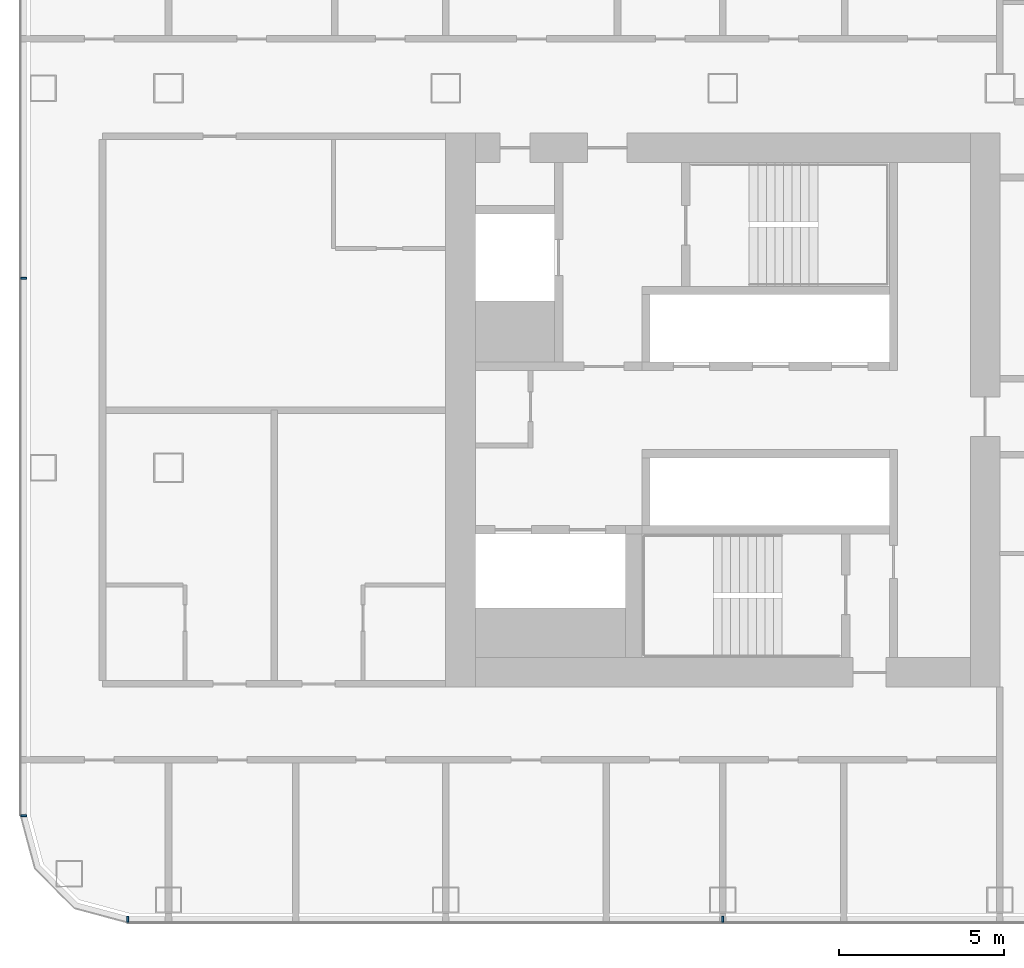
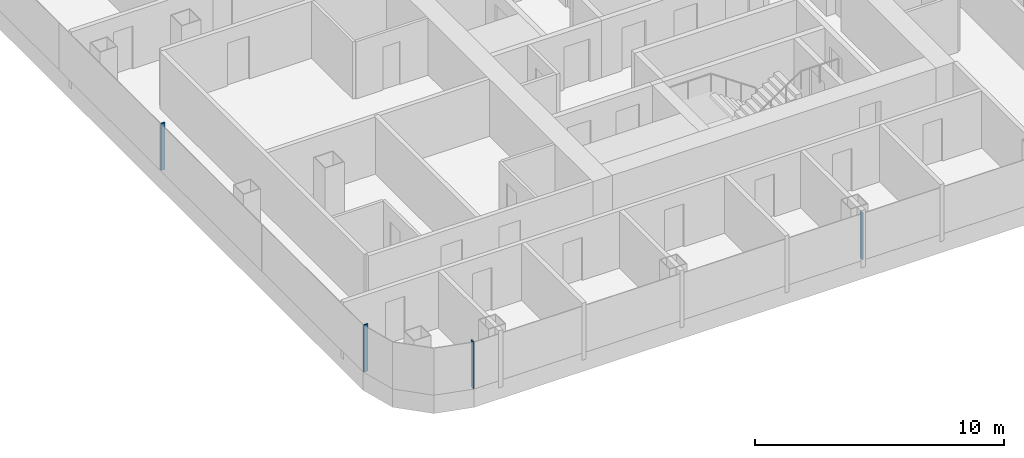
# One storey, part 2 of 29: 4 members, 2 elements without a shape of their own.
"""IFC4 building model written with IfcOpenShell, lengths in metres."""

from ifc_helpers import new_model, si_unit, direction, frame, origin, origin_2d, place, context, subcontext, project, spatial, rectangle, extrude, material, layer, layer_set, material_profile, profile_set, type_object, element, aggregate, save


model = new_model("IFC4")

# Units and contexts
model_context = context("Model", 3, precision=1e-05, world=origin(), true_north=direction((0.0, 1.0)))
body_context = subcontext(model_context, "Body", "Model", "MODEL_VIEW")
ifc_project = project(units=[si_unit("LENGTHUNIT", "METRE"), si_unit("AREAUNIT", "SQUARE_METRE"), si_unit("VOLUMEUNIT", "CUBIC_METRE"), si_unit("PLANEANGLEUNIT", "RADIAN"), si_unit("MASSUNIT", "GRAM", prefix="KILO")], contexts=[model_context])

# Site, building, storey
site_placement = place(None, origin())
site = spatial("IfcSite", under=ifc_project, at=site_placement, CompositionType="ELEMENT")
building_placement = place(site_placement, origin())
building = spatial("IfcBuilding", under=site, at=building_placement, Name="Hakoniwa Tower and Hamabe Station Hall", CompositionType="ELEMENT")
storey_placement = place(building_placement, frame((0.0, 0.0, 85.0)))
storey = spatial("IfcBuildingStorey", under=building, at=storey_placement, Name="L23", CompositionType="ELEMENT", Elevation=85.0)

# Curtain wall, members
ifc_material_1 = material(Name="Dark low-e laminated glass", Category="glass")
ifc_layer = layer(ifc_material_1, 0.199951171875)
ifc_layer_set = layer_set([ifc_layer], Name="CW-1 UNITISED GUEST")
curtain_wall_type = type_object("IfcCurtainWallType", Name="CW-1 UNITISED GUEST", PredefinedType="NOTDEFINED", material=ifc_layer_set)
curtain_wall_1_placement = place(storey_placement, origin())
curtain_wall_1 = element("IfcCurtainWall", 1, at=curtain_wall_1_placement, inside=storey, type_object=curtain_wall_type, Name="CW-1 curtain wall", PredefinedType="NOTDEFINED")
ifc_material_2 = material(Name="Aluminium 6063-T5 black anodised", Category="aluminium")
ifc_material_profile = material_profile(ifc_material_2, rectangle(XDim=0.06005859375, YDim=0.179931640625, at=origin_2d()), Name="CW-1 MULLION 60X180")
ifc_profile_set = profile_set([ifc_material_profile], Name="Aluminium 6063-T5 black anodised")
member_type = type_object("IfcMemberType", Name="CW-1 MULLION 60X180", PredefinedType="MULLION", material=ifc_profile_set)
member_1_placement = place(storey_placement, frame((-46.382080078125, 4.0, 0.35009765625), z_axis=(0.0, 0.0, 1.0), x_axis=(0.0, -1.0, 0.0)))
member_1 = element("IfcMember", 2, at=member_1_placement, type_object=member_type, Name="CW-1 mullion", PredefinedType="MULLION", context=body_context, shape_type="SweptSolid", body=[
    extrude(rectangle(XDim=0.06005859375, YDim=0.179931640625, at=origin_2d()), origin(), (0.0, 0.0, 1.0), 2.2998046875),
])
member_2_placement = place(storey_placement, frame((-46.382080078125, -12.28955078125, 0.35009765625), z_axis=(0.0, 0.0, 1.0), x_axis=(0.0, -1.0, 0.0)))
member_2 = element("IfcMember", 3, at=member_2_placement, type_object=member_type, Name="CW-1 mullion", PredefinedType="MULLION", context=body_context, shape_type="SweptSolid", body=[
    extrude(rectangle(XDim=0.06005859375, YDim=0.179931640625, at=origin_2d()), origin(), (0.0, 0.0, 1.0), 2.2998046875),
])
aggregate(curtain_wall_1, [member_1, member_2])

curtain_wall_2_placement = place(storey_placement, origin())
curtain_wall_2 = element("IfcCurtainWall", 4, at=curtain_wall_2_placement, inside=storey, type_object=curtain_wall_type, Name="CW-1 curtain wall", PredefinedType="NOTDEFINED")
member_3_placement = place(storey_placement, frame((-43.239501953125, -15.431884765625, 0.35009765625), z_axis=(0.0, 0.0, 1.0), x_axis=(1.0, 0.0, 0.0)))
member_3 = element("IfcMember", 5, at=member_3_placement, type_object=member_type, Name="CW-1 mullion", PredefinedType="MULLION", context=body_context, shape_type="SweptSolid", body=[
    extrude(rectangle(XDim=0.06005859375, YDim=0.179931640625, at=origin_2d()), origin(), (0.0, 0.0, 1.0), 2.2998046875),
])
member_4_placement = place(storey_placement, frame((-25.199951171875, -15.431884765625, 0.35009765625), z_axis=(0.0, 0.0, 1.0), x_axis=(1.0, 0.0, 0.0)))
member_4 = element("IfcMember", 6, at=member_4_placement, type_object=member_type, Name="CW-1 mullion", PredefinedType="MULLION", context=body_context, shape_type="SweptSolid", body=[
    extrude(rectangle(XDim=0.06005859375, YDim=0.179931640625, at=origin_2d()), origin(), (0.0, 0.0, 1.0), 2.2998046875),
])
aggregate(curtain_wall_2, [member_3, member_4])

save(model, "model.ifc")
